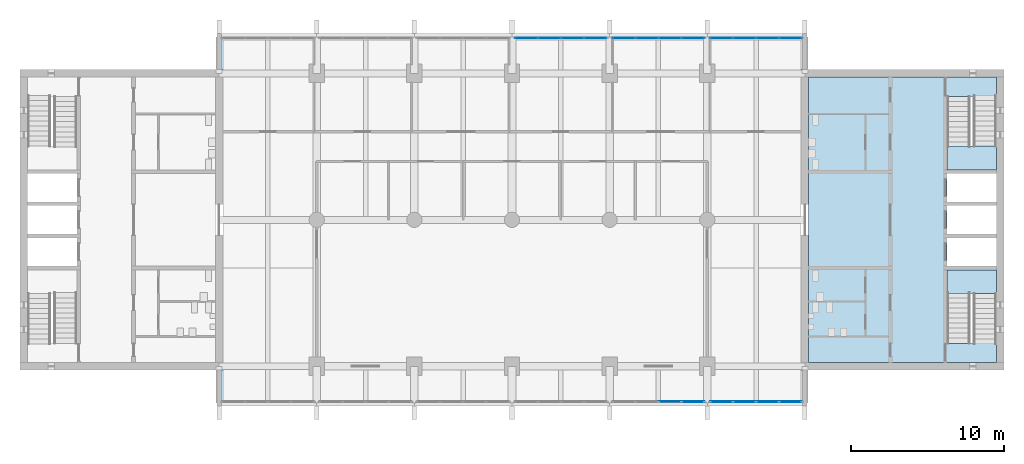
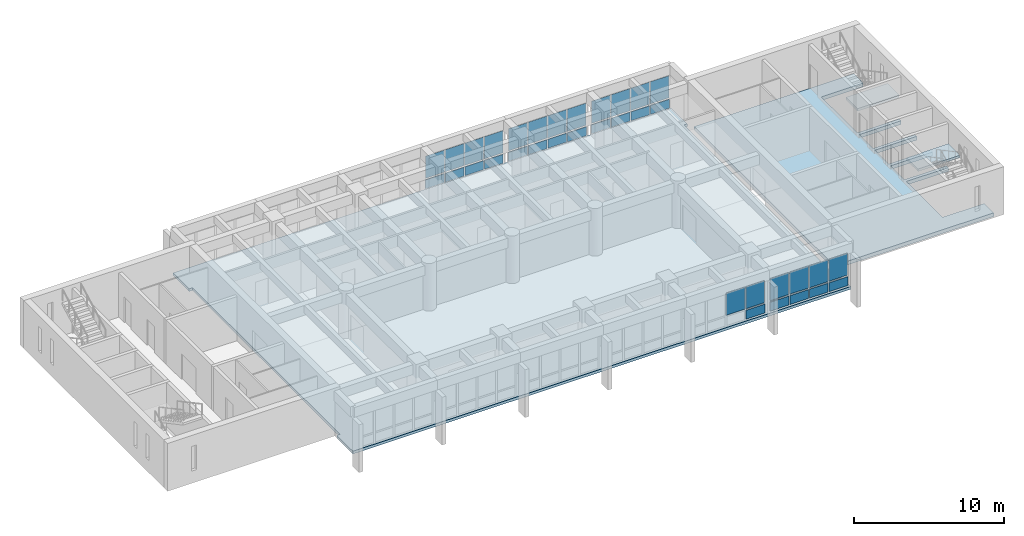
# One storey, part 8 of 15: 35 plates, 4 slabs, 7 elements without a shape of their own.
"""IFC4 building model written with IfcOpenShell, lengths in metres."""

from ifc_helpers import new_model, si_unit, direction, frame, origin, origin_2d, place, context, subcontext, project, spatial, polyline, rectangle, outline, extrude, material, layer, layer_set, type_object, element, aggregate, save


model = new_model("IFC4")

# Units and contexts
model_context = context("Model", 3, precision=1e-05, world=origin(), true_north=direction((0.0, 1.0)))
body_context = subcontext(model_context, "Body", "Model", "MODEL_VIEW")
ifc_project = project(units=[si_unit("LENGTHUNIT", "METRE"), si_unit("AREAUNIT", "SQUARE_METRE"), si_unit("VOLUMEUNIT", "CUBIC_METRE"), si_unit("PLANEANGLEUNIT", "RADIAN"), si_unit("MASSUNIT", "GRAM", prefix="KILO")], contexts=[model_context])

# Site, building, storey
site_placement = place(None, origin())
site = spatial("IfcSite", under=ifc_project, at=site_placement, CompositionType="ELEMENT")
building_placement = place(site_placement, origin())
building = spatial("IfcBuilding", under=site, at=building_placement, Name="Fogon Plaza Fire Station and Headquarters Tower", CompositionType="ELEMENT")
storey_placement = place(building_placement, frame((0.0, 0.0, 32.699951171875)))
storey = spatial("IfcBuildingStorey", under=building, at=storey_placement, Name="L08", CompositionType="ELEMENT", Elevation=32.699951171875)

# Slabs
ifc_material_1 = material(Name="Concrete C40", Category="concrete")
ifc_layer_1 = layer(ifc_material_1, 0.300048828125)
ifc_layer_set_1 = layer_set([ifc_layer_1], Name="Concrete C40")
slab_type_1 = type_object("IfcSlabType", Name="Core Floor Slab RC 300", PredefinedType="FLOOR", material=ifc_layer_set_1)
slab_1_placement = place(storey_placement, frame((0.0, 0.0, -0.300048828125)))
element("IfcSlab", 1, at=slab_1_placement, inside=storey, type_object=slab_type_1, Name="Core B floor", PredefinedType="FLOOR", context=body_context, shape_type="SweptSolid", body=[
    extrude(outline(polyline([(76.550048828125, 35.110107421875), (73.324951171875, 35.110107421875), (73.324951171875, 39.925048828125), (76.550048828125, 39.925048828125), (76.550048828125, 40.175048828125), (73.324951171875, 40.175048828125), (73.324951171875, 42.02490234375), (76.550048828125, 42.02490234375), (76.550048828125, 42.27490234375), (73.324951171875, 42.27490234375), (73.324951171875, 44.125), (76.550048828125, 44.125), (76.550048828125, 44.375), (73.324951171875, 44.375), (73.324951171875, 46.22509765625), (76.550048828125, 46.22509765625), (76.550048828125, 46.47509765625), (73.324951171875, 46.47509765625), (73.324951171875, 51.2900390625), (76.550048828125, 51.2900390625), (76.550048828125, 52.550048828125), (64.25, 52.550048828125), (64.25, 33.85009765625), (76.550048828125, 33.85009765625), (76.550048828125, 35.110107421875)])), origin(), (0.0, 0.0, 1.0), 0.300048828125),
])
ifc_material_2 = material(Name="Concrete C40", Category="concrete")
ifc_layer_2 = layer(ifc_material_2, 0.219970703125)
ifc_layer_set_2 = layer_set([ifc_layer_2], Name="Concrete C40")
slab_type_2 = type_object("IfcSlabType", Name="Floor slab 220 S22", PredefinedType="FLOOR", material=ifc_layer_set_2)
slab_2_placement = place(storey_placement, frame((0.0, 0.0, -0.219970703125)))
element("IfcSlab", 2, at=slab_2_placement, inside=storey, type_object=slab_type_2, Name="slab-L08-bar", PredefinedType="FLOOR", context=body_context, shape_type="SweptSolid", body=[
    extrude(outline(polyline([(64.0, 31.199951171875), (25.60009765625, 31.199951171875), (25.60009765625, 33.35009765625), (25.85009765625, 33.35009765625), (25.85009765625, 53.050048828125), (25.60009765625, 53.050048828125), (25.60009765625, 55.199951171875), (64.0, 55.199951171875), (64.0, 53.050048828125), (63.75, 53.050048828125), (63.75, 33.35009765625), (64.0, 33.35009765625), (64.0, 31.199951171875)])), origin(), (0.0, 0.0, 1.0), 0.219970703125),
])

# Curtain wall, plate
ifc_material_3 = material(Name="Aluminium and glass", Category="aluminium")
ifc_layer_3 = layer(ifc_material_3, 0.14990234375)
ifc_layer_set_3 = layer_set([ifc_layer_3], Name="Aluminium and glass")
curtain_wall_type = type_object("IfcCurtainWallType", Name="Unitised Curtain Wall Run 6100x2880", PredefinedType="NOTDEFINED", material=ifc_layer_set_3)
curtain_wall_1_placement = place(storey_placement, origin())
curtain_wall_1 = element("IfcCurtainWall", 3, at=curtain_wall_1_placement, inside=storey, type_object=curtain_wall_type, Name="CW-6100x2880 S5 L08", PredefinedType="NOTDEFINED")
ifc_material_4 = material(Name="Insulated aluminium spandrel", Category="aluminium")
ifc_layer_4 = layer(ifc_material_4, 0.06005859375)
ifc_layer_set_4 = layer_set([ifc_layer_4], Name="Insulated aluminium spandrel")
plate_type_1 = type_object("IfcPlateType", Name="Insulated Spandrel Panel", PredefinedType="CURTAIN_PANEL", material=ifc_layer_set_4)
plate_1_placement = place(storey_placement, frame((56.6650390625, 31.280029296875, 0.1201171875), z_axis=(0.0, 0.0, 1.0), x_axis=(1.0, 0.0, 0.0)))
plate_1 = element("IfcPlate", 4, at=plate_1_placement, type_object=plate_type_1, Name="SP1 panel 4.1", PredefinedType="CURTAIN_PANEL", context=body_context, shape_type="SweptSolid", body=[
    extrude(rectangle(XDim=1.449951171875, YDim=0.06005859375, at=origin_2d()), origin(), (0.0, 0.0, 1.0), 0.719970703125),
])

# Curtain wall, plates
curtain_wall_2_placement = place(storey_placement, origin())
curtain_wall_2 = element("IfcCurtainWall", 5, at=curtain_wall_2_placement, inside=storey, type_object=curtain_wall_type, Name="CW-6100x2880 S6 L08", PredefinedType="NOTDEFINED")
plate_2_placement = place(storey_placement, frame((58.534912109375, 31.280029296875, 0.1201171875), z_axis=(0.0, 0.0, 1.0), x_axis=(1.0, 0.0, 0.0)))
plate_2 = element("IfcPlate", 6, at=plate_2_placement, type_object=plate_type_1, Name="SP1 panel 1.1", PredefinedType="CURTAIN_PANEL", context=body_context, shape_type="SweptSolid", body=[
    extrude(rectangle(XDim=1.449951171875, YDim=0.06005859375, at=origin_2d()), origin(), (0.0, 0.0, 1.0), 0.719970703125),
])
plate_3_placement = place(storey_placement, frame((60.044921875, 31.280029296875, 0.1201171875), z_axis=(0.0, 0.0, 1.0), x_axis=(1.0, 0.0, 0.0)))
plate_3 = element("IfcPlate", 7, at=plate_3_placement, type_object=plate_type_1, Name="SP1 panel 2.1", PredefinedType="CURTAIN_PANEL", context=body_context, shape_type="SweptSolid", body=[
    extrude(rectangle(XDim=1.449951171875, YDim=0.06005859375, at=origin_2d()), origin(), (0.0, 0.0, 1.0), 0.719970703125),
])
plate_4_placement = place(storey_placement, frame((61.554931640625, 31.280029296875, 0.1201171875), z_axis=(0.0, 0.0, 1.0), x_axis=(1.0, 0.0, 0.0)))
plate_4 = element("IfcPlate", 8, at=plate_4_placement, type_object=plate_type_1, Name="SP1 panel 3.1", PredefinedType="CURTAIN_PANEL", context=body_context, shape_type="SweptSolid", body=[
    extrude(rectangle(XDim=1.449951171875, YDim=0.06005859375, at=origin_2d()), origin(), (0.0, 0.0, 1.0), 0.719970703125),
])
plate_5_placement = place(storey_placement, frame((63.06494140625, 31.280029296875, 0.1201171875), z_axis=(0.0, 0.0, 1.0), x_axis=(1.0, 0.0, 0.0)))
plate_5 = element("IfcPlate", 9, at=plate_5_placement, type_object=plate_type_1, Name="SP1 panel 4.1", PredefinedType="CURTAIN_PANEL", context=body_context, shape_type="SweptSolid", body=[
    extrude(rectangle(XDim=1.449951171875, YDim=0.06005859375, at=origin_2d()), origin(), (0.0, 0.0, 1.0), 0.719970703125),
])

curtain_wall_3_placement = place(storey_placement, origin())
curtain_wall_3 = element("IfcCurtainWall", 10, at=curtain_wall_3_placement, inside=storey, type_object=curtain_wall_type, Name="CW-6100x2880 N4 L08", PredefinedType="NOTDEFINED")
plate_6_placement = place(storey_placement, frame((45.735107421875, 55.1201171875, 0.1201171875), z_axis=(0.0, 0.0, 1.0), x_axis=(1.0, 0.0, 0.0)))
plate_6 = element("IfcPlate", 11, at=plate_6_placement, type_object=plate_type_1, Name="SP1 panel 1.1", PredefinedType="CURTAIN_PANEL", context=body_context, shape_type="SweptSolid", body=[
    extrude(rectangle(XDim=1.449951171875, YDim=0.06005859375, at=origin_2d()), origin(), (0.0, 0.0, 1.0), 0.719970703125),
])
plate_7_placement = place(storey_placement, frame((47.2451171875, 55.1201171875, 0.1201171875), z_axis=(0.0, 0.0, 1.0), x_axis=(1.0, 0.0, 0.0)))
plate_7 = element("IfcPlate", 12, at=plate_7_placement, type_object=plate_type_1, Name="SP1 panel 2.1", PredefinedType="CURTAIN_PANEL", context=body_context, shape_type="SweptSolid", body=[
    extrude(rectangle(XDim=1.449951171875, YDim=0.06005859375, at=origin_2d()), origin(), (0.0, 0.0, 1.0), 0.719970703125),
])
plate_8_placement = place(storey_placement, frame((48.7548828125, 55.1201171875, 0.1201171875), z_axis=(0.0, 0.0, 1.0), x_axis=(1.0, 0.0, 0.0)))
plate_8 = element("IfcPlate", 13, at=plate_8_placement, type_object=plate_type_1, Name="SP1 panel 3.1", PredefinedType="CURTAIN_PANEL", context=body_context, shape_type="SweptSolid", body=[
    extrude(rectangle(XDim=1.449951171875, YDim=0.06005859375, at=origin_2d()), origin(), (0.0, 0.0, 1.0), 0.719970703125),
])
plate_9_placement = place(storey_placement, frame((50.264892578125, 55.1201171875, 0.1201171875), z_axis=(0.0, 0.0, 1.0), x_axis=(1.0, 0.0, 0.0)))
plate_9 = element("IfcPlate", 14, at=plate_9_placement, type_object=plate_type_1, Name="SP1 panel 4.1", PredefinedType="CURTAIN_PANEL", context=body_context, shape_type="SweptSolid", body=[
    extrude(rectangle(XDim=1.449951171875, YDim=0.06005859375, at=origin_2d()), origin(), (0.0, 0.0, 1.0), 0.719970703125),
])

curtain_wall_4_placement = place(storey_placement, origin())
curtain_wall_4 = element("IfcCurtainWall", 15, at=curtain_wall_4_placement, inside=storey, type_object=curtain_wall_type, Name="CW-6100x2880 N5 L08", PredefinedType="NOTDEFINED")
plate_10_placement = place(storey_placement, frame((52.135009765625, 55.1201171875, 0.1201171875), z_axis=(0.0, 0.0, 1.0), x_axis=(1.0, 0.0, 0.0)))
plate_10 = element("IfcPlate", 16, at=plate_10_placement, type_object=plate_type_1, Name="SP1 panel 1.1", PredefinedType="CURTAIN_PANEL", context=body_context, shape_type="SweptSolid", body=[
    extrude(rectangle(XDim=1.449951171875, YDim=0.06005859375, at=origin_2d()), origin(), (0.0, 0.0, 1.0), 0.719970703125),
])
plate_11_placement = place(storey_placement, frame((53.64501953125, 55.1201171875, 0.1201171875), z_axis=(0.0, 0.0, 1.0), x_axis=(1.0, 0.0, 0.0)))
plate_11 = element("IfcPlate", 17, at=plate_11_placement, type_object=plate_type_1, Name="SP1 panel 2.1", PredefinedType="CURTAIN_PANEL", context=body_context, shape_type="SweptSolid", body=[
    extrude(rectangle(XDim=1.449951171875, YDim=0.06005859375, at=origin_2d()), origin(), (0.0, 0.0, 1.0), 0.719970703125),
])
plate_12_placement = place(storey_placement, frame((55.155029296875, 55.1201171875, 0.1201171875), z_axis=(0.0, 0.0, 1.0), x_axis=(1.0, 0.0, 0.0)))
plate_12 = element("IfcPlate", 18, at=plate_12_placement, type_object=plate_type_1, Name="SP1 panel 3.1", PredefinedType="CURTAIN_PANEL", context=body_context, shape_type="SweptSolid", body=[
    extrude(rectangle(XDim=1.449951171875, YDim=0.06005859375, at=origin_2d()), origin(), (0.0, 0.0, 1.0), 0.719970703125),
])
plate_13_placement = place(storey_placement, frame((56.6650390625, 55.1201171875, 0.1201171875), z_axis=(0.0, 0.0, 1.0), x_axis=(1.0, 0.0, 0.0)))
plate_13 = element("IfcPlate", 19, at=plate_13_placement, type_object=plate_type_1, Name="SP1 panel 4.1", PredefinedType="CURTAIN_PANEL", context=body_context, shape_type="SweptSolid", body=[
    extrude(rectangle(XDim=1.449951171875, YDim=0.06005859375, at=origin_2d()), origin(), (0.0, 0.0, 1.0), 0.719970703125),
])

curtain_wall_5_placement = place(storey_placement, origin())
curtain_wall_5 = element("IfcCurtainWall", 20, at=curtain_wall_5_placement, inside=storey, type_object=curtain_wall_type, Name="CW-6100x2880 N6 L08", PredefinedType="NOTDEFINED")
plate_14_placement = place(storey_placement, frame((58.534912109375, 55.1201171875, 0.1201171875), z_axis=(0.0, 0.0, 1.0), x_axis=(1.0, 0.0, 0.0)))
plate_14 = element("IfcPlate", 21, at=plate_14_placement, type_object=plate_type_1, Name="SP1 panel 1.1", PredefinedType="CURTAIN_PANEL", context=body_context, shape_type="SweptSolid", body=[
    extrude(rectangle(XDim=1.449951171875, YDim=0.06005859375, at=origin_2d()), origin(), (0.0, 0.0, 1.0), 0.719970703125),
])
plate_15_placement = place(storey_placement, frame((60.044921875, 55.1201171875, 0.1201171875), z_axis=(0.0, 0.0, 1.0), x_axis=(1.0, 0.0, 0.0)))
plate_15 = element("IfcPlate", 22, at=plate_15_placement, type_object=plate_type_1, Name="SP1 panel 2.1", PredefinedType="CURTAIN_PANEL", context=body_context, shape_type="SweptSolid", body=[
    extrude(rectangle(XDim=1.449951171875, YDim=0.06005859375, at=origin_2d()), origin(), (0.0, 0.0, 1.0), 0.719970703125),
])
plate_16_placement = place(storey_placement, frame((61.554931640625, 55.1201171875, 0.1201171875), z_axis=(0.0, 0.0, 1.0), x_axis=(1.0, 0.0, 0.0)))
plate_16 = element("IfcPlate", 23, at=plate_16_placement, type_object=plate_type_1, Name="SP1 panel 3.1", PredefinedType="CURTAIN_PANEL", context=body_context, shape_type="SweptSolid", body=[
    extrude(rectangle(XDim=1.449951171875, YDim=0.06005859375, at=origin_2d()), origin(), (0.0, 0.0, 1.0), 0.719970703125),
])
plate_17_placement = place(storey_placement, frame((63.06494140625, 55.1201171875, 0.1201171875), z_axis=(0.0, 0.0, 1.0), x_axis=(1.0, 0.0, 0.0)))
plate_17 = element("IfcPlate", 24, at=plate_17_placement, type_object=plate_type_1, Name="SP1 panel 4.1", PredefinedType="CURTAIN_PANEL", context=body_context, shape_type="SweptSolid", body=[
    extrude(rectangle(XDim=1.449951171875, YDim=0.06005859375, at=origin_2d()), origin(), (0.0, 0.0, 1.0), 0.719970703125),
])

# Stair, slab
ifc_material_5 = material(Name="Concrete C40", Category="concrete")
stair_type = type_object("IfcStairType", Name="Exit Stair Two Flights", PredefinedType="TWO_STRAIGHT_RUN_STAIR", material=ifc_material_5)
stair_1_placement = place(storey_placement, origin())
stair_1 = element("IfcStair", 25, at=stair_1_placement, inside=storey, type_object=stair_type, Name="Stair ST3", PredefinedType="TWO_STRAIGHT_RUN_STAIR")
ifc_material_6 = material(Name="Concrete C40", Category="concrete")
ifc_layer_5 = layer(ifc_material_6, 0.300048828125)
ifc_layer_set_5 = layer_set([ifc_layer_5], Name="Concrete C40")
slab_type_3 = type_object("IfcSlabType", Name="Stair Landing RC 300", PredefinedType="LANDING", material=ifc_layer_set_5)
slab_3_placement = place(storey_placement, frame((0.0, 0.0, 1.75)))
slab_3 = element("IfcSlab", 26, at=slab_3_placement, type_object=slab_type_3, Name="ST3 landing L10", PredefinedType="LANDING", context=body_context, shape_type="SweptSolid", body=[
    extrude(outline(polyline([(73.324951171875, 38.375), (76.550048828125, 38.375), (76.550048828125, 39.925048828125), (73.324951171875, 39.925048828125), (73.324951171875, 38.375)])), origin(), (0.0, 0.0, 1.0), 0.199951171875),
])
aggregate(stair_1, [slab_3])

stair_2_placement = place(storey_placement, origin())
stair_2 = element("IfcStair", 27, at=stair_2_placement, inside=storey, type_object=stair_type, Name="Stair ST4", PredefinedType="TWO_STRAIGHT_RUN_STAIR")
slab_4_placement = place(storey_placement, frame((0.0, 0.0, 1.75)))
slab_4 = element("IfcSlab", 28, at=slab_4_placement, type_object=slab_type_3, Name="ST4 landing L10", PredefinedType="LANDING", context=body_context, shape_type="SweptSolid", body=[
    extrude(outline(polyline([(73.324951171875, 46.47509765625), (76.550048828125, 46.47509765625), (76.550048828125, 48.02490234375), (73.324951171875, 48.02490234375), (73.324951171875, 46.47509765625)])), origin(), (0.0, 0.0, 1.0), 0.199951171875),
])
aggregate(stair_2, [slab_4])

# Plate
ifc_material_7 = material(Name="Low-e double glazing", Category="glass")
ifc_layer_6 = layer(ifc_material_7, 0.028076171875)
ifc_layer_set_6 = layer_set([ifc_layer_6], Name="Low-e double glazing")
plate_type_2 = type_object("IfcPlateType", Name="Vision Glass Panel 1450x1800", PredefinedType="CURTAIN_PANEL", material=ifc_layer_set_6)
plate_18_placement = place(storey_placement, frame((55.155029296875, 31.280029296875, 0.9599609375), z_axis=(0.0, 0.0, 1.0), x_axis=(1.0, 0.0, 0.0)))
plate_18 = element("IfcPlate", 29, at=plate_18_placement, type_object=plate_type_2, Name="VG-1450x1800 panel 3.2", PredefinedType="CURTAIN_PANEL", context=body_context, shape_type="SweptSolid", body=[
    extrude(rectangle(XDim=1.449951171875, YDim=0.028076171875, at=origin_2d()), origin(), (0.0, 0.0, 1.0), 1.800048828125),
])

plate_19_placement = place(storey_placement, frame((56.6650390625, 31.280029296875, 0.9599609375), z_axis=(0.0, 0.0, 1.0), x_axis=(1.0, 0.0, 0.0)))
plate_19 = element("IfcPlate", 30, at=plate_19_placement, type_object=plate_type_2, Name="VG-1450x1800 panel 4.2", PredefinedType="CURTAIN_PANEL", context=body_context, shape_type="SweptSolid", body=[
    extrude(rectangle(XDim=1.449951171875, YDim=0.028076171875, at=origin_2d()), origin(), (0.0, 0.0, 1.0), 1.800048828125),
])

aggregate(curtain_wall_1, [plate_18, plate_1, plate_19])

plate_20_placement = place(storey_placement, frame((58.534912109375, 31.280029296875, 0.9599609375), z_axis=(0.0, 0.0, 1.0), x_axis=(1.0, 0.0, 0.0)))
plate_20 = element("IfcPlate", 31, at=plate_20_placement, type_object=plate_type_2, Name="VG-1450x1800 panel 1.2", PredefinedType="CURTAIN_PANEL", context=body_context, shape_type="SweptSolid", body=[
    extrude(rectangle(XDim=1.449951171875, YDim=0.028076171875, at=origin_2d()), origin(), (0.0, 0.0, 1.0), 1.800048828125),
])

plate_21_placement = place(storey_placement, frame((60.044921875, 31.280029296875, 0.9599609375), z_axis=(0.0, 0.0, 1.0), x_axis=(1.0, 0.0, 0.0)))
plate_21 = element("IfcPlate", 32, at=plate_21_placement, type_object=plate_type_2, Name="VG-1450x1800 panel 2.2", PredefinedType="CURTAIN_PANEL", context=body_context, shape_type="SweptSolid", body=[
    extrude(rectangle(XDim=1.449951171875, YDim=0.028076171875, at=origin_2d()), origin(), (0.0, 0.0, 1.0), 1.800048828125),
])

plate_22_placement = place(storey_placement, frame((61.554931640625, 31.280029296875, 0.9599609375), z_axis=(0.0, 0.0, 1.0), x_axis=(1.0, 0.0, 0.0)))
plate_22 = element("IfcPlate", 33, at=plate_22_placement, type_object=plate_type_2, Name="VG-1450x1800 panel 3.2", PredefinedType="CURTAIN_PANEL", context=body_context, shape_type="SweptSolid", body=[
    extrude(rectangle(XDim=1.449951171875, YDim=0.028076171875, at=origin_2d()), origin(), (0.0, 0.0, 1.0), 1.800048828125),
])

plate_23_placement = place(storey_placement, frame((63.06494140625, 31.280029296875, 0.9599609375), z_axis=(0.0, 0.0, 1.0), x_axis=(1.0, 0.0, 0.0)))
plate_23 = element("IfcPlate", 34, at=plate_23_placement, type_object=plate_type_2, Name="VG-1450x1800 panel 4.2", PredefinedType="CURTAIN_PANEL", context=body_context, shape_type="SweptSolid", body=[
    extrude(rectangle(XDim=1.449951171875, YDim=0.028076171875, at=origin_2d()), origin(), (0.0, 0.0, 1.0), 1.800048828125),
])

aggregate(curtain_wall_2, [plate_2, plate_20, plate_3, plate_21, plate_4, plate_22, plate_5, plate_23])

plate_24_placement = place(storey_placement, frame((45.735107421875, 55.1201171875, 0.9599609375), z_axis=(0.0, 0.0, 1.0), x_axis=(1.0, 0.0, 0.0)))
plate_24 = element("IfcPlate", 35, at=plate_24_placement, type_object=plate_type_2, Name="VG-1450x1800 panel 1.2", PredefinedType="CURTAIN_PANEL", context=body_context, shape_type="SweptSolid", body=[
    extrude(rectangle(XDim=1.449951171875, YDim=0.028076171875, at=origin_2d()), origin(), (0.0, 0.0, 1.0), 1.800048828125),
])

plate_25_placement = place(storey_placement, frame((47.2451171875, 55.1201171875, 0.9599609375), z_axis=(0.0, 0.0, 1.0), x_axis=(1.0, 0.0, 0.0)))
plate_25 = element("IfcPlate", 36, at=plate_25_placement, type_object=plate_type_2, Name="VG-1450x1800 panel 2.2", PredefinedType="CURTAIN_PANEL", context=body_context, shape_type="SweptSolid", body=[
    extrude(rectangle(XDim=1.449951171875, YDim=0.028076171875, at=origin_2d()), origin(), (0.0, 0.0, 1.0), 1.800048828125),
])

plate_26_placement = place(storey_placement, frame((48.7548828125, 55.1201171875, 0.9599609375), z_axis=(0.0, 0.0, 1.0), x_axis=(1.0, 0.0, 0.0)))
plate_26 = element("IfcPlate", 37, at=plate_26_placement, type_object=plate_type_2, Name="VG-1450x1800 panel 3.2", PredefinedType="CURTAIN_PANEL", context=body_context, shape_type="SweptSolid", body=[
    extrude(rectangle(XDim=1.449951171875, YDim=0.028076171875, at=origin_2d()), origin(), (0.0, 0.0, 1.0), 1.800048828125),
])

plate_27_placement = place(storey_placement, frame((50.264892578125, 55.1201171875, 0.9599609375), z_axis=(0.0, 0.0, 1.0), x_axis=(1.0, 0.0, 0.0)))
plate_27 = element("IfcPlate", 38, at=plate_27_placement, type_object=plate_type_2, Name="VG-1450x1800 panel 4.2", PredefinedType="CURTAIN_PANEL", context=body_context, shape_type="SweptSolid", body=[
    extrude(rectangle(XDim=1.449951171875, YDim=0.028076171875, at=origin_2d()), origin(), (0.0, 0.0, 1.0), 1.800048828125),
])

aggregate(curtain_wall_3, [plate_6, plate_24, plate_7, plate_25, plate_8, plate_26, plate_9, plate_27])

plate_28_placement = place(storey_placement, frame((52.135009765625, 55.1201171875, 0.9599609375), z_axis=(0.0, 0.0, 1.0), x_axis=(1.0, 0.0, 0.0)))
plate_28 = element("IfcPlate", 39, at=plate_28_placement, type_object=plate_type_2, Name="VG-1450x1800 panel 1.2", PredefinedType="CURTAIN_PANEL", context=body_context, shape_type="SweptSolid", body=[
    extrude(rectangle(XDim=1.449951171875, YDim=0.028076171875, at=origin_2d()), origin(), (0.0, 0.0, 1.0), 1.800048828125),
])

plate_29_placement = place(storey_placement, frame((53.64501953125, 55.1201171875, 0.9599609375), z_axis=(0.0, 0.0, 1.0), x_axis=(1.0, 0.0, 0.0)))
plate_29 = element("IfcPlate", 40, at=plate_29_placement, type_object=plate_type_2, Name="VG-1450x1800 panel 2.2", PredefinedType="CURTAIN_PANEL", context=body_context, shape_type="SweptSolid", body=[
    extrude(rectangle(XDim=1.449951171875, YDim=0.028076171875, at=origin_2d()), origin(), (0.0, 0.0, 1.0), 1.800048828125),
])

plate_30_placement = place(storey_placement, frame((55.155029296875, 55.1201171875, 0.9599609375), z_axis=(0.0, 0.0, 1.0), x_axis=(1.0, 0.0, 0.0)))
plate_30 = element("IfcPlate", 41, at=plate_30_placement, type_object=plate_type_2, Name="VG-1450x1800 panel 3.2", PredefinedType="CURTAIN_PANEL", context=body_context, shape_type="SweptSolid", body=[
    extrude(rectangle(XDim=1.449951171875, YDim=0.028076171875, at=origin_2d()), origin(), (0.0, 0.0, 1.0), 1.800048828125),
])

plate_31_placement = place(storey_placement, frame((56.6650390625, 55.1201171875, 0.9599609375), z_axis=(0.0, 0.0, 1.0), x_axis=(1.0, 0.0, 0.0)))
plate_31 = element("IfcPlate", 42, at=plate_31_placement, type_object=plate_type_2, Name="VG-1450x1800 panel 4.2", PredefinedType="CURTAIN_PANEL", context=body_context, shape_type="SweptSolid", body=[
    extrude(rectangle(XDim=1.449951171875, YDim=0.028076171875, at=origin_2d()), origin(), (0.0, 0.0, 1.0), 1.800048828125),
])

aggregate(curtain_wall_4, [plate_10, plate_28, plate_11, plate_29, plate_12, plate_30, plate_13, plate_31])

plate_32_placement = place(storey_placement, frame((58.534912109375, 55.1201171875, 0.9599609375), z_axis=(0.0, 0.0, 1.0), x_axis=(1.0, 0.0, 0.0)))
plate_32 = element("IfcPlate", 43, at=plate_32_placement, type_object=plate_type_2, Name="VG-1450x1800 panel 1.2", PredefinedType="CURTAIN_PANEL", context=body_context, shape_type="SweptSolid", body=[
    extrude(rectangle(XDim=1.449951171875, YDim=0.028076171875, at=origin_2d()), origin(), (0.0, 0.0, 1.0), 1.800048828125),
])

plate_33_placement = place(storey_placement, frame((60.044921875, 55.1201171875, 0.9599609375), z_axis=(0.0, 0.0, 1.0), x_axis=(1.0, 0.0, 0.0)))
plate_33 = element("IfcPlate", 44, at=plate_33_placement, type_object=plate_type_2, Name="VG-1450x1800 panel 2.2", PredefinedType="CURTAIN_PANEL", context=body_context, shape_type="SweptSolid", body=[
    extrude(rectangle(XDim=1.449951171875, YDim=0.028076171875, at=origin_2d()), origin(), (0.0, 0.0, 1.0), 1.800048828125),
])

plate_34_placement = place(storey_placement, frame((61.554931640625, 55.1201171875, 0.9599609375), z_axis=(0.0, 0.0, 1.0), x_axis=(1.0, 0.0, 0.0)))
plate_34 = element("IfcPlate", 45, at=plate_34_placement, type_object=plate_type_2, Name="VG-1450x1800 panel 3.2", PredefinedType="CURTAIN_PANEL", context=body_context, shape_type="SweptSolid", body=[
    extrude(rectangle(XDim=1.449951171875, YDim=0.028076171875, at=origin_2d()), origin(), (0.0, 0.0, 1.0), 1.800048828125),
])

plate_35_placement = place(storey_placement, frame((63.06494140625, 55.1201171875, 0.9599609375), z_axis=(0.0, 0.0, 1.0), x_axis=(1.0, 0.0, 0.0)))
plate_35 = element("IfcPlate", 46, at=plate_35_placement, type_object=plate_type_2, Name="VG-1450x1800 panel 4.2", PredefinedType="CURTAIN_PANEL", context=body_context, shape_type="SweptSolid", body=[
    extrude(rectangle(XDim=1.449951171875, YDim=0.028076171875, at=origin_2d()), origin(), (0.0, 0.0, 1.0), 1.800048828125),
])

aggregate(curtain_wall_5, [plate_14, plate_32, plate_15, plate_33, plate_16, plate_34, plate_17, plate_35])

save(model, "model.ifc")
